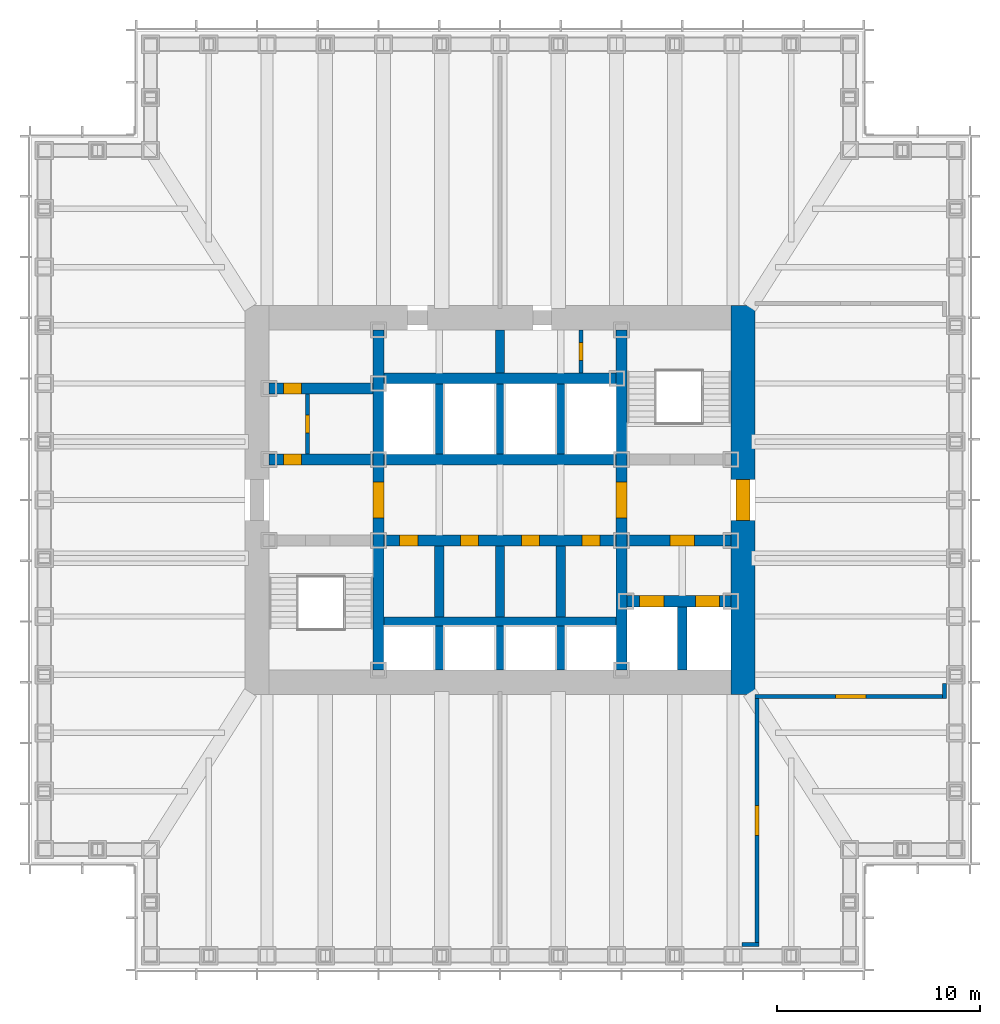
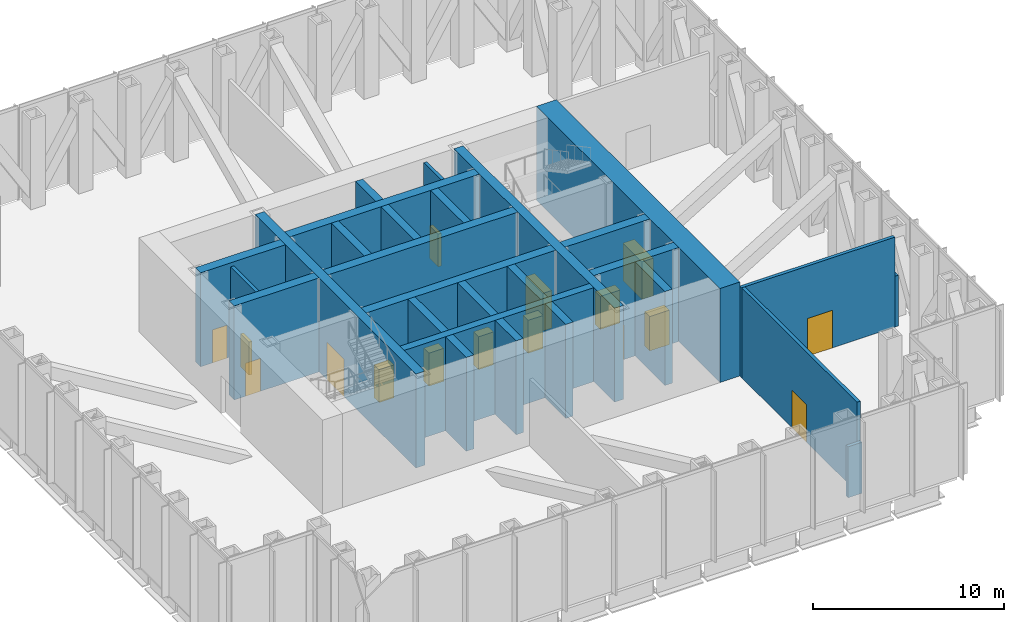
# One storey, part 7 of 13: 28 walls, 16 doors, 16 openings.
"""IFC4 building model written with IfcOpenShell, lengths in metres."""

from ifc_helpers import new_model, si_unit, direction, frame, frame_2d, origin, place, context, subcontext, project, spatial, rectangle, extrude, material, layer, layer_set, type_object, element, fill, save


model = new_model("IFC4")

# Units and contexts
model_context = context("Model", 3, precision=1e-05, world=origin(), true_north=direction((0.0, 1.0)))
body_context = subcontext(model_context, "Body", "Model", "MODEL_VIEW")
ifc_project = project(units=[si_unit("LENGTHUNIT", "METRE"), si_unit("AREAUNIT", "SQUARE_METRE"), si_unit("VOLUMEUNIT", "CUBIC_METRE"), si_unit("PLANEANGLEUNIT", "RADIAN"), si_unit("MASSUNIT", "GRAM", prefix="KILO")], contexts=[model_context])

# Site, building, storey
site_placement = place(None, origin())
site = spatial("IfcSite", under=ifc_project, at=site_placement, CompositionType="ELEMENT")
building_placement = place(site_placement, origin())
building = spatial("IfcBuilding", under=site, at=building_placement, Name="Daluyong Arena Tower", CompositionType="ELEMENT")
storey_placement = place(building_placement, frame((0.0, 0.0, 175.300048828125)))
storey = spatial("IfcBuildingStorey", under=building, at=storey_placement, Name="L39", CompositionType="ELEMENT", Elevation=175.300048828125)

# Wall, opening, door
ifc_material_1 = material(Name="Concrete fc' 45 MPa", Category="concrete")
ifc_layer_1 = layer(ifc_material_1, 0.550048828125)
ifc_layer_set_1 = layer_set([ifc_layer_1], Name="Concrete fc' 45 MPa")
wall_type_1 = type_object("IfcWallType", Name="Core inner wall 550", PredefinedType="SHEAR", material=ifc_layer_set_1)
wall_1_placement = place(storey_placement, frame((50.0, 71.60009765625, 0.0), z_axis=(0.0, 0.0, 1.0), x_axis=(0.0, 1.0, 0.0)))
wall_1 = element("IfcWall", 1, at=wall_1_placement, inside=storey, type_object=wall_type_1, Name="core inner wall at L39", PredefinedType="SHEAR", context=body_context, shape_type="SweptSolid", body=[
    extrude(rectangle(XDim=16.7998046875, YDim=0.550048828125, at=frame_2d((8.39990234375, 0.0))), origin(), (0.0, 0.0, 1.0), 6.0),
])
opening_1_placement = place(wall_1_placement, frame((7.5, 0.0, 0.0)))
opening_1 = element("IfcOpeningElement", 2, at=opening_1_placement, cuts=wall_1, Name="Opening 39015", PredefinedType="OPENING", context=body_context, shape_type="SweptSolid", body=[
    extrude(rectangle(XDim=1.800048828125, YDim=2.39990234375, at=frame_2d((0.89990234375, 1.199951171875))), frame((0.0, 0.284912109375, 0.0), z_axis=(0.0, -1.0, 0.0), x_axis=(1.0, 0.0, 0.0)), (0.0, 0.0, 1.0), 0.570068359375),
])
ifc_material_2 = material(Name="Steel door, fire rated", Category="steel")
door_type_1 = type_object("IfcDoorType", Name="Lift lobby opening door 1800", OperationType="DOUBLE_DOOR_SINGLE_SWING", PredefinedType="DOOR", material=ifc_material_2)
door_1_placement = place(opening_1_placement, origin())
door_1 = element("IfcDoor", 3, at=door_1_placement, inside=storey, type_object=door_type_1, Name="lift lobby door west 39015", OperationType="DOUBLE_DOOR_SINGLE_SWING", OverallHeight=2.39990234375, OverallWidth=1.800048828125, PredefinedType="DOOR", context=body_context, shape_type="SweptSolid", body=[
    extrude(rectangle(XDim=1.800048828125, YDim=2.39990234375, at=frame_2d((0.89990234375, 1.199951171875))), frame((0.0, 0.27490234375, 0.0), z_axis=(0.0, -1.0, 0.0), x_axis=(1.0, 0.0, 0.0)), (0.0, 0.0, 1.0), 0.549560546875),
])
fill(opening_1, door_1)

wall_2_placement = place(storey_placement, frame((62.0, 71.60009765625, 0.0), z_axis=(0.0, 0.0, 1.0), x_axis=(0.0, 1.0, 0.0)))
wall_2 = element("IfcWall", 4, at=wall_2_placement, inside=storey, type_object=wall_type_1, Name="core inner wall at L39", PredefinedType="SHEAR", context=body_context, shape_type="SweptSolid", body=[
    extrude(rectangle(XDim=16.7998046875, YDim=0.550048828125, at=frame_2d((8.39990234375, 0.0))), origin(), (0.0, 0.0, 1.0), 6.0),
])
opening_2_placement = place(wall_2_placement, frame((7.5, 0.0, 0.0)))
opening_2 = element("IfcOpeningElement", 5, at=opening_2_placement, cuts=wall_2, Name="Opening 39016", PredefinedType="OPENING", context=body_context, shape_type="SweptSolid", body=[
    extrude(rectangle(XDim=1.800048828125, YDim=2.39990234375, at=frame_2d((0.89990234375, 1.199951171875))), frame((0.0, 0.284912109375, 0.0), z_axis=(0.0, -1.0, 0.0), x_axis=(1.0, 0.0, 0.0)), (0.0, 0.0, 1.0), 0.570068359375),
])
door_2_placement = place(opening_2_placement, origin())
door_2 = element("IfcDoor", 6, at=door_2_placement, inside=storey, type_object=door_type_1, Name="lift lobby door east 39016", OperationType="DOUBLE_DOOR_SINGLE_SWING", OverallHeight=2.39990234375, OverallWidth=1.800048828125, PredefinedType="DOOR", context=body_context, shape_type="SweptSolid", body=[
    extrude(rectangle(XDim=1.800048828125, YDim=2.39990234375, at=frame_2d((0.89990234375, 1.199951171875))), frame((0.0, 0.27490234375, 0.0), z_axis=(0.0, -1.0, 0.0), x_axis=(1.0, 0.0, 0.0)), (0.0, 0.0, 1.0), 0.549560546875),
])
fill(opening_2, door_2)

wall_3_placement = place(storey_placement, frame((44.60009765625, 82.0, 0.0), z_axis=(0.0, 0.0, 1.0), x_axis=(1.0, 0.0, 0.0)))
wall_3 = element("IfcWall", 7, at=wall_3_placement, inside=storey, type_object=wall_type_1, Name="core inner wall at L39", PredefinedType="SHEAR", context=body_context, shape_type="SweptSolid", body=[
    extrude(rectangle(XDim=5.125, YDim=0.550048828125, at=frame_2d((2.5625, 0.0))), origin(), (0.0, 0.0, 1.0), 6.0),
])
opening_3_placement = place(wall_3_placement, frame((0.699951171875, 0.0, 0.0)))
opening_3 = element("IfcOpeningElement", 8, at=opening_3_placement, cuts=wall_3, Name="Opening 39001", PredefinedType="OPENING", context=body_context, shape_type="SweptSolid", body=[
    extrude(rectangle(XDim=0.89990234375, YDim=2.10009765625, at=frame_2d((0.449951171875, 1.050048828125))), frame((0.0, 0.284912109375, 0.0), z_axis=(0.0, -1.0, 0.0), x_axis=(1.0, 0.0, 0.0)), (0.0, 0.0, 1.0), 0.570068359375),
])
ifc_material_3 = material(Name="Steel door, fire rated", Category="steel")
door_type_2 = type_object("IfcDoorType", Name="Core room door 900", OperationType="SINGLE_SWING_LEFT", PredefinedType="DOOR", material=ifc_material_3)
door_3_placement = place(opening_3_placement, origin())
door_3 = element("IfcDoor", 9, at=door_3_placement, inside=storey, type_object=door_type_2, Name="toilet lobby door 39001", OperationType="SINGLE_SWING_LEFT", OverallHeight=2.10009765625, OverallWidth=0.89990234375, PredefinedType="DOOR", context=body_context, shape_type="SweptSolid", body=[
    extrude(rectangle(XDim=0.89990234375, YDim=2.10009765625, at=frame_2d((0.449951171875, 1.050048828125))), frame((0.0, 0.27490234375, 0.0), z_axis=(0.0, -1.0, 0.0), x_axis=(1.0, 0.0, 0.0)), (0.0, 0.0, 1.0), 0.549560546875),
])
fill(opening_3, door_3)

wall_4_placement = place(storey_placement, frame((44.60009765625, 85.5, 0.0), z_axis=(0.0, 0.0, 1.0), x_axis=(1.0, 0.0, 0.0)))
wall_4 = element("IfcWall", 10, at=wall_4_placement, inside=storey, type_object=wall_type_1, Name="core inner wall at L39", PredefinedType="SHEAR", context=body_context, shape_type="SweptSolid", body=[
    extrude(rectangle(XDim=5.125, YDim=0.550048828125, at=frame_2d((2.5625, 0.0))), origin(), (0.0, 0.0, 1.0), 6.0),
])
opening_4_placement = place(wall_4_placement, frame((0.699951171875, 0.0, 0.0)))
opening_4 = element("IfcOpeningElement", 11, at=opening_4_placement, cuts=wall_4, Name="Opening 39003", PredefinedType="OPENING", context=body_context, shape_type="SweptSolid", body=[
    extrude(rectangle(XDim=0.89990234375, YDim=2.10009765625, at=frame_2d((0.449951171875, 1.050048828125))), frame((0.0, 0.284912109375, 0.0), z_axis=(0.0, -1.0, 0.0), x_axis=(1.0, 0.0, 0.0)), (0.0, 0.0, 1.0), 0.570068359375),
])
ifc_material_4 = material(Name="Timber door", Category="wood")
door_type_3 = type_object("IfcDoorType", Name="Toilet door 900", OperationType="SINGLE_SWING_RIGHT", PredefinedType="DOOR", material=ifc_material_4)
door_4_placement = place(opening_4_placement, origin())
door_4 = element("IfcDoor", 12, at=door_4_placement, inside=storey, type_object=door_type_3, Name="female toilet door 39003", OperationType="SINGLE_SWING_RIGHT", OverallHeight=2.10009765625, OverallWidth=0.89990234375, PredefinedType="DOOR", context=body_context, shape_type="SweptSolid", body=[
    extrude(rectangle(XDim=0.89990234375, YDim=2.10009765625, at=frame_2d((0.449951171875, 1.050048828125))), frame((0.0, 0.27490234375, 0.0), z_axis=(0.0, -1.0, 0.0), x_axis=(1.0, 0.0, 0.0)), (0.0, 0.0, 1.0), 0.549560546875),
])
fill(opening_4, door_4)

# Wall, openings, doors
wall_5_placement = place(storey_placement, frame((62.27490234375, 75.0, 0.0), z_axis=(0.0, 0.0, 1.0), x_axis=(1.0, 0.0, 0.0)))
wall_5 = element("IfcWall", 13, at=wall_5_placement, inside=storey, type_object=wall_type_1, Name="core inner wall at L39", PredefinedType="SHEAR", context=body_context, shape_type="SweptSolid", body=[
    extrude(rectangle(XDim=5.125, YDim=0.550048828125, at=frame_2d((2.5625, 0.0))), origin(), (0.0, 0.0, 1.0), 6.0),
])
opening_5_placement = place(wall_5_placement, frame((0.625, 0.0, 0.0)))
opening_5 = element("IfcOpeningElement", 14, at=opening_5_placement, cuts=wall_5, Name="Opening 39018", PredefinedType="OPENING", context=body_context, shape_type="SweptSolid", body=[
    extrude(rectangle(XDim=1.199951171875, YDim=2.199951171875, at=frame_2d((0.60009765625, 1.10009765625))), frame((0.0, 0.284912109375, 0.0), z_axis=(0.0, -1.0, 0.0), x_axis=(1.0, 0.0, 0.0)), (0.0, 0.0, 1.0), 0.570068359375),
])
opening_6_placement = place(wall_5_placement, frame((3.375, 0.0, 0.0)))
opening_6 = element("IfcOpeningElement", 15, at=opening_6_placement, cuts=wall_5, Name="Opening 39019", PredefinedType="OPENING", context=body_context, shape_type="SweptSolid", body=[
    extrude(rectangle(XDim=1.199951171875, YDim=2.199951171875, at=frame_2d((0.60009765625, 1.10009765625))), frame((0.0, 0.284912109375, 0.0), z_axis=(0.0, -1.0, 0.0), x_axis=(1.0, 0.0, 0.0)), (0.0, 0.0, 1.0), 0.570068359375),
])
ifc_material_5 = material(Name="Steel door, fire rated", Category="steel")
door_type_4 = type_object("IfcDoorType", Name="Firefighting lift landing door 1200", OperationType="SLIDING_TO_LEFT", PredefinedType="DOOR", material=ifc_material_5)
door_5_placement = place(opening_5_placement, origin())
door_5 = element("IfcDoor", 16, at=door_5_placement, inside=storey, type_object=door_type_4, Name="firefighting lift landing door F1 39018", OperationType="SLIDING_TO_LEFT", OverallHeight=2.199951171875, OverallWidth=1.199951171875, PredefinedType="DOOR", context=body_context, shape_type="SweptSolid", body=[
    extrude(rectangle(XDim=1.199951171875, YDim=2.199951171875, at=frame_2d((0.60009765625, 1.10009765625))), frame((0.0, 0.27490234375, 0.0), z_axis=(0.0, -1.0, 0.0), x_axis=(1.0, 0.0, 0.0)), (0.0, 0.0, 1.0), 0.549560546875),
])
fill(opening_5, door_5)
door_6_placement = place(opening_6_placement, origin())
door_6 = element("IfcDoor", 17, at=door_6_placement, inside=storey, type_object=door_type_4, Name="firefighting lift landing door F2 39019", OperationType="SLIDING_TO_LEFT", OverallHeight=2.199951171875, OverallWidth=1.199951171875, PredefinedType="DOOR", context=body_context, shape_type="SweptSolid", body=[
    extrude(rectangle(XDim=1.199951171875, YDim=2.199951171875, at=frame_2d((0.60009765625, 1.10009765625))), frame((0.0, 0.27490234375, 0.0), z_axis=(0.0, -1.0, 0.0), x_axis=(1.0, 0.0, 0.0)), (0.0, 0.0, 1.0), 0.549560546875),
])
fill(opening_6, door_6)

# Wall, opening, door
wall_6_placement = place(storey_placement, frame((62.27490234375, 78.0, 0.0), z_axis=(0.0, 0.0, 1.0), x_axis=(1.0, 0.0, 0.0)))
wall_6 = element("IfcWall", 18, at=wall_6_placement, inside=storey, type_object=wall_type_1, Name="core inner wall at L39", PredefinedType="SHEAR", context=body_context, shape_type="SweptSolid", body=[
    extrude(rectangle(XDim=5.125, YDim=0.550048828125, at=frame_2d((2.5625, 0.0))), origin(), (0.0, 0.0, 1.0), 6.0),
])
opening_7_placement = place(wall_6_placement, frame((2.125, 0.0, 0.0)))
opening_7 = element("IfcOpeningElement", 19, at=opening_7_placement, cuts=wall_6, Name="Opening 39017", PredefinedType="OPENING", context=body_context, shape_type="SweptSolid", body=[
    extrude(rectangle(XDim=1.199951171875, YDim=2.10009765625, at=frame_2d((0.60009765625, 1.050048828125))), frame((0.0, 0.284912109375, 0.0), z_axis=(0.0, -1.0, 0.0), x_axis=(1.0, 0.0, 0.0)), (0.0, 0.0, 1.0), 0.570068359375),
])
ifc_material_6 = material(Name="Steel door, fire rated", Category="steel")
door_type_5 = type_object("IfcDoorType", Name="Firefighting lobby door 1200", OperationType="SINGLE_SWING_RIGHT", PredefinedType="DOOR", material=ifc_material_6)
door_7_placement = place(opening_7_placement, origin())
door_7 = element("IfcDoor", 20, at=door_7_placement, inside=storey, type_object=door_type_5, Name="firefighting lobby door 39017", OperationType="SINGLE_SWING_RIGHT", OverallHeight=2.10009765625, OverallWidth=1.199951171875, PredefinedType="DOOR", context=body_context, shape_type="SweptSolid", body=[
    extrude(rectangle(XDim=1.199951171875, YDim=2.10009765625, at=frame_2d((0.60009765625, 1.050048828125))), frame((0.0, 0.27490234375, 0.0), z_axis=(0.0, -1.0, 0.0), x_axis=(1.0, 0.0, 0.0)), (0.0, 0.0, 1.0), 0.549560546875),
])
fill(opening_7, door_7)

# Wall, openings, doors
wall_7_placement = place(storey_placement, frame((50.27490234375, 78.0, 0.0), z_axis=(0.0, 0.0, 1.0), x_axis=(1.0, 0.0, 0.0)))
wall_7 = element("IfcWall", 21, at=wall_7_placement, inside=storey, type_object=wall_type_1, Name="core inner wall at L39", PredefinedType="SHEAR", context=body_context, shape_type="SweptSolid", body=[
    extrude(rectangle(XDim=11.4501953125, YDim=0.550048828125, at=frame_2d((5.72509765625, 0.0))), origin(), (0.0, 0.0, 1.0), 6.0),
])
opening_8_placement = place(wall_7_placement, frame((0.77490234375, 0.0, 0.0)))
opening_8 = element("IfcOpeningElement", 22, at=opening_8_placement, cuts=wall_7, Name="Opening 39007", PredefinedType="OPENING", context=body_context, shape_type="SweptSolid", body=[
    extrude(rectangle(XDim=0.89990234375, YDim=2.10009765625, at=frame_2d((0.449951171875, 1.050048828125))), frame((0.0, 0.284912109375, 0.0), z_axis=(0.0, -1.0, 0.0), x_axis=(1.0, 0.0, 0.0)), (0.0, 0.0, 1.0), 0.570068359375),
])
opening_9_placement = place(wall_7_placement, frame((3.77490234375, 0.0, 0.0)))
opening_9 = element("IfcOpeningElement", 23, at=opening_9_placement, cuts=wall_7, Name="Opening 39008", PredefinedType="OPENING", context=body_context, shape_type="SweptSolid", body=[
    extrude(rectangle(XDim=0.89990234375, YDim=2.10009765625, at=frame_2d((0.449951171875, 1.050048828125))), frame((0.0, 0.284912109375, 0.0), z_axis=(0.0, -1.0, 0.0), x_axis=(1.0, 0.0, 0.0)), (0.0, 0.0, 1.0), 0.570068359375),
])
opening_10_placement = place(wall_7_placement, frame((6.77490234375, 0.0, 0.0)))
opening_10 = element("IfcOpeningElement", 24, at=opening_10_placement, cuts=wall_7, Name="Opening 39009", PredefinedType="OPENING", context=body_context, shape_type="SweptSolid", body=[
    extrude(rectangle(XDim=0.89990234375, YDim=2.10009765625, at=frame_2d((0.449951171875, 1.050048828125))), frame((0.0, 0.284912109375, 0.0), z_axis=(0.0, -1.0, 0.0), x_axis=(1.0, 0.0, 0.0)), (0.0, 0.0, 1.0), 0.570068359375),
])
opening_11_placement = place(wall_7_placement, frame((9.77490234375, 0.0, 0.0)))
opening_11 = element("IfcOpeningElement", 25, at=opening_11_placement, cuts=wall_7, Name="Opening 39010", PredefinedType="OPENING", context=body_context, shape_type="SweptSolid", body=[
    extrude(rectangle(XDim=0.89990234375, YDim=2.10009765625, at=frame_2d((0.449951171875, 1.050048828125))), frame((0.0, 0.284912109375, 0.0), z_axis=(0.0, -1.0, 0.0), x_axis=(1.0, 0.0, 0.0)), (0.0, 0.0, 1.0), 0.570068359375),
])
ifc_material_7 = material(Name="Steel door, fire rated", Category="steel")
door_type_6 = type_object("IfcDoorType", Name="Core store door 900", OperationType="SINGLE_SWING_LEFT", PredefinedType="DOOR", material=ifc_material_7)
door_8_placement = place(opening_10_placement, origin())
door_8 = element("IfcDoor", 26, at=door_8_placement, inside=storey, type_object=door_type_6, Name="maintenance store door 39009", OperationType="SINGLE_SWING_LEFT", OverallHeight=2.10009765625, OverallWidth=0.89990234375, PredefinedType="DOOR", context=body_context, shape_type="SweptSolid", body=[
    extrude(rectangle(XDim=0.89990234375, YDim=2.10009765625, at=frame_2d((0.449951171875, 1.050048828125))), frame((0.0, 0.27490234375, 0.0), z_axis=(0.0, -1.0, 0.0), x_axis=(1.0, 0.0, 0.0)), (0.0, 0.0, 1.0), 0.549560546875),
])
fill(opening_10, door_8)
door_9_placement = place(opening_11_placement, origin())
door_9 = element("IfcDoor", 27, at=door_9_placement, inside=storey, type_object=door_type_6, Name="plant spares store door 39010", OperationType="SINGLE_SWING_LEFT", OverallHeight=2.10009765625, OverallWidth=0.89990234375, PredefinedType="DOOR", context=body_context, shape_type="SweptSolid", body=[
    extrude(rectangle(XDim=0.89990234375, YDim=2.10009765625, at=frame_2d((0.449951171875, 1.050048828125))), frame((0.0, 0.27490234375, 0.0), z_axis=(0.0, -1.0, 0.0), x_axis=(1.0, 0.0, 0.0)), (0.0, 0.0, 1.0), 0.549560546875),
])
fill(opening_11, door_9)
ifc_material_8 = material(Name="Steel door, fire rated", Category="steel")
door_type_7 = type_object("IfcDoorType", Name="Plant room door 900", OperationType="SINGLE_SWING_LEFT", PredefinedType="DOOR", material=ifc_material_8)
door_10_placement = place(opening_8_placement, origin())
door_10 = element("IfcDoor", 28, at=door_10_placement, inside=storey, type_object=door_type_7, Name="electrical switch room door 39007", OperationType="SINGLE_SWING_LEFT", OverallHeight=2.10009765625, OverallWidth=0.89990234375, PredefinedType="DOOR", context=body_context, shape_type="SweptSolid", body=[
    extrude(rectangle(XDim=0.89990234375, YDim=2.10009765625, at=frame_2d((0.449951171875, 1.050048828125))), frame((0.0, 0.27490234375, 0.0), z_axis=(0.0, -1.0, 0.0), x_axis=(1.0, 0.0, 0.0)), (0.0, 0.0, 1.0), 0.549560546875),
])
fill(opening_8, door_10)
door_11_placement = place(opening_9_placement, origin())
door_11 = element("IfcDoor", 29, at=door_11_placement, inside=storey, type_object=door_type_7, Name="comms room door 39008", OperationType="SINGLE_SWING_LEFT", OverallHeight=2.10009765625, OverallWidth=0.89990234375, PredefinedType="DOOR", context=body_context, shape_type="SweptSolid", body=[
    extrude(rectangle(XDim=0.89990234375, YDim=2.10009765625, at=frame_2d((0.449951171875, 1.050048828125))), frame((0.0, 0.27490234375, 0.0), z_axis=(0.0, -1.0, 0.0), x_axis=(1.0, 0.0, 0.0)), (0.0, 0.0, 1.0), 0.549560546875),
])
fill(opening_9, door_11)

# Walls
for number, where, z_axis, x_axis, name in (
    (30, (50.27490234375, 82.0, 0.0), (0.0, 0.0, 1.0), (1.0, 0.0, 0.0), "core inner wall at L39"),
    (31, (50.27490234375, 86.0, 0.0), (0.0, 0.0, 1.0), (1.0, 0.0, 0.0), "core inner wall at L39"),
):
    element("IfcWall", number, at=place(storey_placement, frame(where, z_axis=z_axis, x_axis=x_axis)), inside=storey, type_object=wall_type_1, Name=name, PredefinedType="SHEAR", context=body_context, shape_type="SweptSolid", body=[
        extrude(rectangle(XDim=11.4501953125, YDim=0.550048828125, at=frame_2d((5.72509765625, 0.0))), origin(), (0.0, 0.0, 1.0), 6.0),
    ])

# Wall, opening, door
ifc_material_9 = material(Name="Concrete fc' 60 MPa", Category="concrete")
ifc_layer_2 = layer(ifc_material_9, 1.199951171875)
ifc_layer_set_2 = layer_set([ifc_layer_2], Name="Concrete fc' 60 MPa")
wall_type_2 = type_object("IfcWallType", Name="Core wall 1200", PredefinedType="SHEAR", material=ifc_layer_set_2)
wall_8_placement = place(storey_placement, frame((68.0, 70.39990234375, 0.0), z_axis=(0.0, 0.0, 1.0), x_axis=(0.0, 1.0, 0.0)))
wall_8 = element("IfcWall", 32, at=wall_8_placement, inside=storey, type_object=wall_type_2, Name="core wall at L39", PredefinedType="SHEAR", context=body_context, shape_type="SweptSolid", body=[
    extrude(rectangle(XDim=19.2001953125, YDim=1.199951171875, at=frame_2d((9.60009765625, 0.0))), origin(), (0.0, 0.0, 1.0), 6.0),
])
opening_12_placement = place(wall_8_placement, frame((8.60009765625, 0.0, 0.0)))
opening_12 = element("IfcOpeningElement", 33, at=opening_12_placement, cuts=wall_8, Name="Opening 39014", PredefinedType="OPENING", context=body_context, shape_type="SweptSolid", body=[
    extrude(rectangle(XDim=2.0, YDim=2.39990234375, at=frame_2d((1.0, 1.199951171875))), frame((0.0, 0.60986328125, 0.0), z_axis=(0.0, -1.0, 0.0), x_axis=(1.0, 0.0, 0.0)), (0.0, 0.0, 1.0), 1.219970703125),
])
ifc_material_10 = material(Name="Steel door, fire rated", Category="steel")
door_type_8 = type_object("IfcDoorType", Name="Core lobby double door 2000", OperationType="DOUBLE_DOOR_SINGLE_SWING", PredefinedType="DOOR", material=ifc_material_10)
door_12_placement = place(opening_12_placement, origin())
door_12 = element("IfcDoor", 34, at=door_12_placement, inside=storey, type_object=door_type_8, Name="mechanical plant room door 39014", OperationType="DOUBLE_DOOR_SINGLE_SWING", OverallHeight=2.39990234375, OverallWidth=2.0, PredefinedType="DOOR", context=body_context, shape_type="SweptSolid", body=[
    extrude(rectangle(XDim=2.0, YDim=2.39990234375, at=frame_2d((1.0, 1.199951171875))), frame((0.0, 0.35009765625, 0.0), z_axis=(0.0, -1.0, 0.0), x_axis=(1.0, 0.0, 0.0)), (0.0, 0.0, 1.0), 0.699951171875),
])
fill(opening_12, door_12)

ifc_material_11 = material(Name="Concrete block partition, fire rated", Category="concrete")
ifc_layer_3 = layer(ifc_material_11, 0.199951171875)
ifc_layer_set_3 = layer_set([ifc_layer_3], Name="Concrete block partition, fire rated")
wall_type_3 = type_object("IfcWallType", Name="Fire-rated partition 200", PredefinedType="PARTITIONING", material=ifc_layer_set_3)
wall_9_placement = place(storey_placement, frame((46.5, 82.27490234375, 0.0), z_axis=(0.0, 0.0, 1.0), x_axis=(0.0, 1.0, 0.0)))
wall_9 = element("IfcWall", 35, at=wall_9_placement, inside=storey, type_object=wall_type_3, Name="toilet lobby partition at L39", PredefinedType="PARTITIONING", context=body_context, shape_type="SweptSolid", body=[
    extrude(rectangle(XDim=2.9501953125, YDim=0.199951171875, at=frame_2d((1.47509765625, 0.0))), origin(), (0.0, 0.0, 1.0), 5.75),
])
opening_13_placement = place(wall_9_placement, frame((1.02490234375, 0.0, 0.0)))
opening_13 = element("IfcOpeningElement", 36, at=opening_13_placement, cuts=wall_9, Name="Opening 39002", PredefinedType="OPENING", context=body_context, shape_type="SweptSolid", body=[
    extrude(rectangle(XDim=0.89990234375, YDim=2.10009765625, at=frame_2d((0.449951171875, 1.050048828125))), frame((0.0, 0.10986328125, 0.0), z_axis=(0.0, -1.0, 0.0), x_axis=(1.0, 0.0, 0.0)), (0.0, 0.0, 1.0), 0.219970703125),
])
door_13_placement = place(opening_13_placement, origin())
door_13 = element("IfcDoor", 37, at=door_13_placement, inside=storey, type_object=door_type_3, Name="male toilet door 39002", OperationType="SINGLE_SWING_RIGHT", OverallHeight=2.10009765625, OverallWidth=0.89990234375, PredefinedType="DOOR", context=body_context, shape_type="SweptSolid", body=[
    extrude(rectangle(XDim=0.89990234375, YDim=2.10009765625, at=frame_2d((0.449951171875, 1.050048828125))), frame((0.0, 0.099609375, 0.0), z_axis=(0.0, -1.0, 0.0), x_axis=(1.0, 0.0, 0.0)), (0.0, 0.0, 1.0), 0.199462890625),
])
fill(opening_13, door_13)

wall_10_placement = place(storey_placement, frame((60.0, 86.27490234375, 0.0), z_axis=(0.0, 0.0, 1.0), x_axis=(0.0, 1.0, 0.0)))
wall_10 = element("IfcWall", 38, at=wall_10_placement, inside=storey, type_object=wall_type_3, Name="electrical riser enclosure at L39", PredefinedType="PARTITIONING", context=body_context, shape_type="SweptSolid", body=[
    extrude(rectangle(XDim=2.125, YDim=0.199951171875, at=frame_2d((1.0625, 0.0))), origin(), (0.0, 0.0, 1.0), 5.75),
])
opening_14_placement = place(wall_10_placement, frame((0.612548828125, 0.0, 0.0)))
opening_14 = element("IfcOpeningElement", 39, at=opening_14_placement, cuts=wall_10, Name="Opening 39006", PredefinedType="OPENING", context=body_context, shape_type="SweptSolid", body=[
    extrude(rectangle(XDim=0.89990234375, YDim=2.10009765625, at=frame_2d((0.449951171875, 1.050048828125))), frame((0.0, 0.10986328125, 0.0), z_axis=(0.0, -1.0, 0.0), x_axis=(1.0, 0.0, 0.0)), (0.0, 0.0, 1.0), 0.219970703125),
])
ifc_material_12 = material(Name="Steel door, fire rated", Category="steel")
door_type_9 = type_object("IfcDoorType", Name="Riser door 900", OperationType="SINGLE_SWING_LEFT", PredefinedType="DOOR", material=ifc_material_12)
door_14_placement = place(opening_14_placement, origin())
door_14 = element("IfcDoor", 40, at=door_14_placement, inside=storey, type_object=door_type_9, Name="riser door 39006", OperationType="SINGLE_SWING_LEFT", OverallHeight=2.10009765625, OverallWidth=0.89990234375, PredefinedType="DOOR", context=body_context, shape_type="SweptSolid", body=[
    extrude(rectangle(XDim=0.89990234375, YDim=2.10009765625, at=frame_2d((0.449951171875, 1.050048828125))), frame((0.0, 0.099609375, 0.0), z_axis=(0.0, -1.0, 0.0), x_axis=(1.0, 0.0, 0.0)), (0.0, 0.0, 1.0), 0.199462890625),
])
fill(opening_14, door_14)

wall_11_placement = place(storey_placement, frame((68.60009765625, 70.300048828125, 0.0), z_axis=(0.0, 0.0, 1.0), x_axis=(1.0, 0.0, 0.0)))
wall_11 = element("IfcWall", 41, at=wall_11_placement, inside=storey, type_object=wall_type_3, Name="plant room partition at L39", PredefinedType="PARTITIONING", context=body_context, shape_type="SweptSolid", body=[
    extrude(rectangle(XDim=9.25, YDim=0.199951171875, at=frame_2d((4.625, 0.0))), origin(), (0.0, 0.0, 1.0), 5.75),
])
opening_15_placement = place(wall_11_placement, frame((3.97509765625, 0.0, 0.0)))
opening_15 = element("IfcOpeningElement", 42, at=opening_15_placement, cuts=wall_11, Name="Opening 39021", PredefinedType="OPENING", context=body_context, shape_type="SweptSolid", body=[
    extrude(rectangle(XDim=1.5, YDim=2.39990234375, at=frame_2d((0.75, 1.199951171875))), frame((0.0, 0.10986328125, 0.0), z_axis=(0.0, -1.0, 0.0), x_axis=(1.0, 0.0, 0.0)), (0.0, 0.0, 1.0), 0.219970703125),
])
ifc_material_13 = material(Name="Steel door, fire rated", Category="steel")
door_type_10 = type_object("IfcDoorType", Name="Plant room door 1500", OperationType="DOUBLE_DOOR_SINGLE_SWING", PredefinedType="DOOR", material=ifc_material_13)
door_15_placement = place(opening_15_placement, origin())
door_15 = element("IfcDoor", 43, at=door_15_placement, inside=storey, type_object=door_type_10, Name="switch room door 39021", OperationType="DOUBLE_DOOR_SINGLE_SWING", OverallHeight=2.39990234375, OverallWidth=1.5, PredefinedType="DOOR", context=body_context, shape_type="SweptSolid", body=[
    extrude(rectangle(XDim=1.5, YDim=2.39990234375, at=frame_2d((0.75, 1.199951171875))), frame((0.0, 0.099609375, 0.0), z_axis=(0.0, -1.0, 0.0), x_axis=(1.0, 0.0, 0.0)), (0.0, 0.0, 1.0), 0.199462890625),
])
fill(opening_15, door_15)

# Wall
wall_12_placement = place(storey_placement, frame((77.949951171875, 70.199951171875, 0.0), z_axis=(0.0, 0.0, 1.0), x_axis=(0.0, 1.0, 0.0)))
element("IfcWall", 44, at=wall_12_placement, inside=storey, type_object=wall_type_3, Name="plant room partition return at L39", PredefinedType="PARTITIONING", context=body_context, shape_type="SweptSolid", body=[
    extrude(rectangle(XDim=0.72998046875, YDim=0.199951171875, at=frame_2d((0.364990234375, 0.0))), origin(), (0.0, 0.0, 1.0), 3.25),
])

# Wall, opening, door
wall_13_placement = place(storey_placement, frame((68.699951171875, 70.199951171875, 0.0), z_axis=(0.0, 0.0, 1.0), x_axis=(0.0, -1.0, 0.0)))
wall_13 = element("IfcWall", 45, at=wall_13_placement, inside=storey, type_object=wall_type_3, Name="plant room partition at L39", PredefinedType="PARTITIONING", context=body_context, shape_type="SweptSolid", body=[
    extrude(rectangle(XDim=12.050048828125, YDim=0.199951171875, at=frame_2d((6.02490234375, 0.0))), origin(), (0.0, 0.0, 1.0), 5.75),
])
opening_16_placement = place(wall_13_placement, frame((5.27490234375, 0.0, 0.0)))
opening_16 = element("IfcOpeningElement", 46, at=opening_16_placement, cuts=wall_13, Name="Opening 39022", PredefinedType="OPENING", context=body_context, shape_type="SweptSolid", body=[
    extrude(rectangle(XDim=1.5, YDim=2.39990234375, at=frame_2d((0.75, 1.199951171875))), frame((0.0, 0.10986328125, 0.0), z_axis=(0.0, -1.0, 0.0), x_axis=(1.0, 0.0, 0.0)), (0.0, 0.0, 1.0), 0.219970703125),
])
door_16_placement = place(opening_16_placement, origin())
door_16 = element("IfcDoor", 47, at=door_16_placement, inside=storey, type_object=door_type_10, Name="air handling plant room door 39022", OperationType="DOUBLE_DOOR_SINGLE_SWING", OverallHeight=2.39990234375, OverallWidth=1.5, PredefinedType="DOOR", context=body_context, shape_type="SweptSolid", body=[
    extrude(rectangle(XDim=1.5, YDim=2.39990234375, at=frame_2d((0.75, 1.199951171875))), frame((0.0, 0.099609375, 0.0), z_axis=(0.0, -1.0, 0.0), x_axis=(1.0, 0.0, 0.0)), (0.0, 0.0, 1.0), 0.199462890625),
])
fill(opening_16, door_16)

# Walls
wall_14_placement = place(storey_placement, frame((68.800048828125, 58.050048828125, 0.0), z_axis=(0.0, 0.0, 1.0), x_axis=(-1.0, 0.0, 0.0)))
element("IfcWall", 48, at=wall_14_placement, inside=storey, type_object=wall_type_3, Name="plant room partition return at L39", PredefinedType="PARTITIONING", context=body_context, shape_type="SweptSolid", body=[
    extrude(rectangle(XDim=0.85009765625, YDim=0.199951171875, at=frame_2d((0.425048828125, 0.0))), origin(), (0.0, 0.0, 1.0), 3.25),
])
ifc_material_14 = material(Name="Concrete fc' 45 MPa", Category="concrete")
ifc_layer_4 = layer(ifc_material_14, 0.449951171875)
ifc_layer_set_4 = layer_set([ifc_layer_4], Name="Concrete fc' 45 MPa")
wall_type_4 = type_object("IfcWallType", Name="Lift shaft wall 450", PredefinedType="SHEAR", material=ifc_layer_set_4)
wall_15_placement = place(storey_placement, frame((50.27490234375, 74.0, 0.0), z_axis=(0.0, 0.0, 1.0), x_axis=(1.0, 0.0, 0.0)))
element("IfcWall", 49, at=wall_15_placement, inside=storey, type_object=wall_type_4, Name="lift shaft wall at L39", PredefinedType="SHEAR", context=body_context, shape_type="SweptSolid", body=[
    extrude(rectangle(XDim=11.4501953125, YDim=0.449951171875, at=frame_2d((5.72509765625, 0.0))), origin(), (0.0, 0.0, 1.0), 6.0),
])
wall_16_placement = place(storey_placement, frame((53.0, 71.60009765625, 0.0), z_axis=(0.0, 0.0, 1.0), x_axis=(0.0, 1.0, 0.0)))
element("IfcWall", 50, at=wall_16_placement, inside=storey, type_object=wall_type_4, Name="lift shaft wall at L39", PredefinedType="SHEAR", context=body_context, shape_type="SweptSolid", body=[
    extrude(rectangle(XDim=2.1748046875, YDim=0.449951171875, at=frame_2d((1.08740234375, 0.0))), origin(), (0.0, 0.0, 1.0), 6.0),
])
wall_17_placement = place(storey_placement, frame((53.0, 74.22509765625, 0.0), z_axis=(0.0, 0.0, 1.0), x_axis=(0.0, 1.0, 0.0)))
element("IfcWall", 51, at=wall_17_placement, inside=storey, type_object=wall_type_4, Name="lift shaft wall at L39", PredefinedType="SHEAR", context=body_context, shape_type="SweptSolid", body=[
    extrude(rectangle(XDim=3.5, YDim=0.449951171875, at=frame_2d((1.75, 0.0))), origin(), (0.0, 0.0, 1.0), 6.0),
])
wall_18_placement = place(storey_placement, frame((53.0, 82.27490234375, 0.0), z_axis=(0.0, 0.0, 1.0), x_axis=(0.0, 1.0, 0.0)))
element("IfcWall", 52, at=wall_18_placement, inside=storey, type_object=wall_type_4, Name="lift shaft wall at L39", PredefinedType="SHEAR", context=body_context, shape_type="SweptSolid", body=[
    extrude(rectangle(XDim=3.4501953125, YDim=0.449951171875, at=frame_2d((1.72509765625, 0.0))), origin(), (0.0, 0.0, 1.0), 6.0),
])
wall_19_placement = place(storey_placement, frame((56.0, 71.60009765625, 0.0), z_axis=(0.0, 0.0, 1.0), x_axis=(0.0, 1.0, 0.0)))
element("IfcWall", 53, at=wall_19_placement, inside=storey, type_object=wall_type_4, Name="lift shaft wall at L39", PredefinedType="SHEAR", context=body_context, shape_type="SweptSolid", body=[
    extrude(rectangle(XDim=2.1748046875, YDim=0.449951171875, at=frame_2d((1.08740234375, 0.0))), origin(), (0.0, 0.0, 1.0), 6.0),
])
wall_20_placement = place(storey_placement, frame((56.0, 74.22509765625, 0.0), z_axis=(0.0, 0.0, 1.0), x_axis=(0.0, 1.0, 0.0)))
element("IfcWall", 54, at=wall_20_placement, inside=storey, type_object=wall_type_4, Name="lift shaft wall at L39", PredefinedType="SHEAR", context=body_context, shape_type="SweptSolid", body=[
    extrude(rectangle(XDim=3.5, YDim=0.449951171875, at=frame_2d((1.75, 0.0))), origin(), (0.0, 0.0, 1.0), 6.0),
])
wall_21_placement = place(storey_placement, frame((56.0, 82.27490234375, 0.0), z_axis=(0.0, 0.0, 1.0), x_axis=(0.0, 1.0, 0.0)))
element("IfcWall", 55, at=wall_21_placement, inside=storey, type_object=wall_type_4, Name="lift shaft wall at L39", PredefinedType="SHEAR", context=body_context, shape_type="SweptSolid", body=[
    extrude(rectangle(XDim=3.4501953125, YDim=0.449951171875, at=frame_2d((1.72509765625, 0.0))), origin(), (0.0, 0.0, 1.0), 6.0),
])
wall_22_placement = place(storey_placement, frame((59.0, 71.60009765625, 0.0), z_axis=(0.0, 0.0, 1.0), x_axis=(0.0, 1.0, 0.0)))
element("IfcWall", 56, at=wall_22_placement, inside=storey, type_object=wall_type_4, Name="lift shaft wall at L39", PredefinedType="SHEAR", context=body_context, shape_type="SweptSolid", body=[
    extrude(rectangle(XDim=2.1748046875, YDim=0.449951171875, at=frame_2d((1.08740234375, 0.0))), origin(), (0.0, 0.0, 1.0), 6.0),
])
wall_23_placement = place(storey_placement, frame((59.0, 74.22509765625, 0.0), z_axis=(0.0, 0.0, 1.0), x_axis=(0.0, 1.0, 0.0)))
element("IfcWall", 57, at=wall_23_placement, inside=storey, type_object=wall_type_4, Name="lift shaft wall at L39", PredefinedType="SHEAR", context=body_context, shape_type="SweptSolid", body=[
    extrude(rectangle(XDim=3.5, YDim=0.449951171875, at=frame_2d((1.75, 0.0))), origin(), (0.0, 0.0, 1.0), 6.0),
])
wall_24_placement = place(storey_placement, frame((59.0, 82.27490234375, 0.0), z_axis=(0.0, 0.0, 1.0), x_axis=(0.0, 1.0, 0.0)))
element("IfcWall", 58, at=wall_24_placement, inside=storey, type_object=wall_type_4, Name="lift shaft wall at L39", PredefinedType="SHEAR", context=body_context, shape_type="SweptSolid", body=[
    extrude(rectangle(XDim=3.4501953125, YDim=0.449951171875, at=frame_2d((1.72509765625, 0.0))), origin(), (0.0, 0.0, 1.0), 6.0),
])
wall_25_placement = place(storey_placement, frame((65.0, 71.60009765625, 0.0), z_axis=(0.0, 0.0, 1.0), x_axis=(0.0, 1.0, 0.0)))
element("IfcWall", 59, at=wall_25_placement, inside=storey, type_object=wall_type_4, Name="lift shaft wall at L39", PredefinedType="SHEAR", context=body_context, shape_type="SweptSolid", body=[
    extrude(rectangle(XDim=3.125, YDim=0.449951171875, at=frame_2d((1.5625, 0.0))), origin(), (0.0, 0.0, 1.0), 6.0),
])
wall_26_placement = place(storey_placement, frame((56.0, 86.27490234375, 0.0), z_axis=(0.0, 0.0, 1.0), x_axis=(0.0, 1.0, 0.0)))
element("IfcWall", 60, at=wall_26_placement, inside=storey, type_object=wall_type_4, Name="lift shaft wall at L39", PredefinedType="SHEAR", context=body_context, shape_type="SweptSolid", body=[
    extrude(rectangle(XDim=2.125, YDim=0.449951171875, at=frame_2d((1.0625, 0.0))), origin(), (0.0, 0.0, 1.0), 6.0),
])

save(model, "model.ifc")
